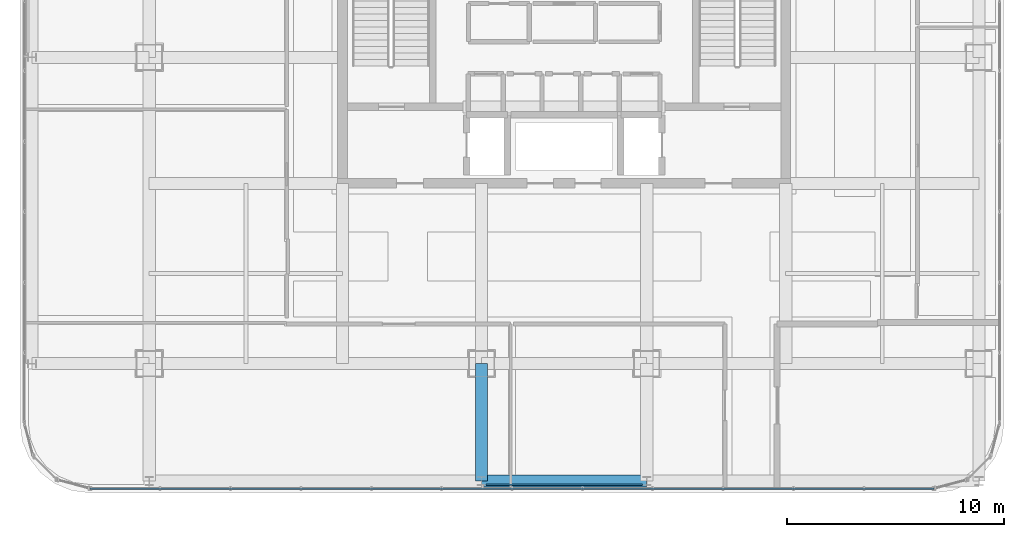
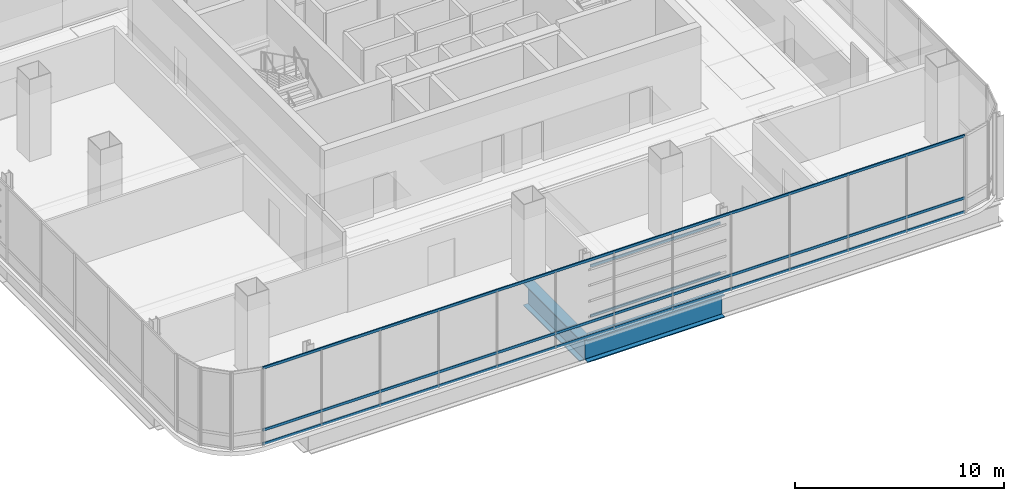
# One storey, part 8 of 45: 5 members, 2 beams, 1 element without a shape of its own.
"""IFC4 building model written with IfcOpenShell, lengths in metres."""

from ifc_helpers import new_model, si_unit, direction, frame, origin, origin_2d, place, context, subcontext, project, spatial, hollow_rectangle, i_section, extrude, material, material_profile, profile_set, type_object, element, aggregate, save


model = new_model("IFC4")

# Units and contexts
model_context = context("Model", 3, precision=1e-05, world=origin(), true_north=direction((0.0, 1.0)))
body_context = subcontext(model_context, "Body", "Model", "MODEL_VIEW")
ifc_project = project(units=[si_unit("LENGTHUNIT", "METRE"), si_unit("AREAUNIT", "SQUARE_METRE"), si_unit("VOLUMEUNIT", "CUBIC_METRE"), si_unit("PLANEANGLEUNIT", "RADIAN"), si_unit("MASSUNIT", "GRAM", prefix="KILO")], contexts=[model_context])

# Site, building, storey
site_placement = place(None, origin())
site = spatial("IfcSite", under=ifc_project, at=site_placement, CompositionType="ELEMENT")
building_placement = place(site_placement, origin())
building = spatial("IfcBuilding", under=site, at=building_placement, Name="Punatoya Terracotta Tower", CompositionType="ELEMENT")
storey_placement = place(building_placement, frame((0.0, 0.0, 339.0)))
storey = spatial("IfcBuildingStorey", under=building, at=storey_placement, Name="L80", CompositionType="ELEMENT", Elevation=339.0)

# Beams
ifc_material_1 = material(Name="Steel S460", Category="steel")
ifc_material_profile_1 = material_profile(ifc_material_1, i_section(OverallWidth=0.56005859375, OverallDepth=1.320068359375, WebThickness=0.035888671875, FlangeThickness=0.054931640625, FilletRadius=0.01806640625, at=origin_2d()))
ifc_profile_set_1 = profile_set([ifc_material_profile_1], Name="Steel S460")
beam_type = type_object("IfcBeamType", Name="BM-TG-BLK", PredefinedType="BEAM", material=ifc_profile_set_1)
beam_1_placement = place(storey_placement, frame((-3.800048828125, -22.89990234375, -0.919921875), z_axis=(0.0, 1.0, 0.0), x_axis=(-1.0, 0.0, 0.0)))
element("IfcBeam", 1, at=beam_1_placement, inside=storey, type_object=beam_type, Name="BM-L80-CANT-S2", PredefinedType="BEAM", context=body_context, shape_type="SweptSolid", body=[
    extrude(i_section(OverallWidth=0.56005859375, OverallDepth=1.320068359375, WebThickness=0.035888671875, FlangeThickness=0.054931640625, FilletRadius=0.01806640625, at=origin_2d()), origin(), (0.0, 0.0, 1.0), 5.39990234375),
])
beam_2_placement = place(storey_placement, frame((-3.800048828125, -22.89990234375, -0.919921875), z_axis=(1.0, 0.0, 0.0), x_axis=(0.0, 1.0, 0.0)))
element("IfcBeam", 2, at=beam_2_placement, inside=storey, type_object=beam_type, Name="BM-L80-PER-S2", PredefinedType="BEAM", context=body_context, shape_type="SweptSolid", body=[
    extrude(i_section(OverallWidth=0.56005859375, OverallDepth=1.320068359375, WebThickness=0.035888671875, FlangeThickness=0.054931640625, FilletRadius=0.01806640625, at=origin_2d()), origin(), (0.0, 0.0, 1.0), 7.60009765625),
])

# Curtain wall, members
ifc_material_2 = material(Name="Aluminium 6063-T6 + Double Low-E Glass", Category="aluminium")
curtain_wall_type = type_object("IfcCurtainWallType", Name="CW-OBS", PredefinedType="NOTDEFINED", material=ifc_material_2)
curtain_wall_placement = place(storey_placement, origin())
curtain_wall = element("IfcCurtainWall", 3, at=curtain_wall_placement, inside=storey, type_object=curtain_wall_type, Name="L80 Curtain Wall CW-L80-S01-1", PredefinedType="NOTDEFINED")
ifc_material_3 = material(Name="Aluminium 6063-T6", Category="aluminium")
ifc_material_profile_2 = material_profile(ifc_material_3, hollow_rectangle(XDim=0.068115234375, YDim=0.14990234375, WallThickness=0.00390625, at=origin_2d()))
ifc_profile_set_2 = profile_set([ifc_material_profile_2], Name="Aluminium 6063-T6")
member_type_1 = type_object("IfcMemberType", Name="CW-TRN-TYP", PredefinedType="USERDEFINED", material=ifc_profile_set_2)
member_1_placement = place(storey_placement, frame((-21.8369140625, -23.25, 0.0400390625), z_axis=(1.0, 0.0, 0.0), x_axis=(0.0, 1.0, 0.0)))
member_1 = element("IfcMember", 4, at=member_1_placement, type_object=member_type_1, Name="CW-L80-S01-1 Transom 1", ObjectType="TRANSOM", PredefinedType="USERDEFINED", context=body_context, shape_type="SweptSolid", body=[
    extrude(hollow_rectangle(XDim=0.068115234375, YDim=0.14990234375, WallThickness=0.00390625, at=origin_2d()), origin(), (0.0, 0.0, 1.0), 38.873779296875),
])
member_2_placement = place(storey_placement, frame((-21.8369140625, -23.25, 0.85009765625), z_axis=(1.0, 0.0, 0.0), x_axis=(0.0, 1.0, 0.0)))
member_2 = element("IfcMember", 5, at=member_2_placement, type_object=member_type_1, Name="CW-L80-S01-1 Transom 2", ObjectType="TRANSOM", PredefinedType="USERDEFINED", context=body_context, shape_type="SweptSolid", body=[
    extrude(hollow_rectangle(XDim=0.068115234375, YDim=0.14990234375, WallThickness=0.00390625, at=origin_2d()), origin(), (0.0, 0.0, 1.0), 38.873779296875),
])
member_3_placement = place(storey_placement, frame((-21.8369140625, -23.25, 4.47998046875), z_axis=(1.0, 0.0, 0.0), x_axis=(0.0, 1.0, 0.0)))
member_3 = element("IfcMember", 6, at=member_3_placement, type_object=member_type_1, Name="CW-L80-S01-1 Transom 3", ObjectType="TRANSOM", PredefinedType="USERDEFINED", context=body_context, shape_type="SweptSolid", body=[
    extrude(hollow_rectangle(XDim=0.068115234375, YDim=0.14990234375, WallThickness=0.00390625, at=origin_2d()), origin(), (0.0, 0.0, 1.0), 38.873779296875),
])
aggregate(curtain_wall, [member_1, member_2, member_3])

# Members
ifc_material_4 = material(Name="Steel S355", Category="steel")
ifc_material_profile_3 = material_profile(ifc_material_4, hollow_rectangle(XDim=0.070068359375, YDim=0.139892578125, WallThickness=0.006103515625, at=origin_2d()))
ifc_profile_set_3 = profile_set([ifc_material_profile_3], Name="Steel S355")
member_type_2 = type_object("IfcMemberType", Name="MEM-BAG-RAIL", PredefinedType="USERDEFINED", material=ifc_profile_set_3)
for number, where, z_axis, x_axis, name in (
    (7, (-3.60009765625, -23.08154296875, 1.050048828125), (1.0, 0.0, 0.0), (0.0, 1.0, 0.0), "L80 Terracotta Baguette Carrier Rail BAG-L80-S-R1"),
    (8, (-3.60009765625, -23.08154296875, 3.969970703125), (1.0, 0.0, 0.0), (0.0, 1.0, 0.0), "L80 Terracotta Baguette Carrier Rail BAG-L80-S-R2"),
):
    element("IfcMember", number, at=place(storey_placement, frame(where, z_axis=z_axis, x_axis=x_axis)), inside=storey, type_object=member_type_2, Name=name, ObjectType="BAGUETTE", PredefinedType="USERDEFINED", context=body_context, shape_type="SweptSolid", body=[
        extrude(hollow_rectangle(XDim=0.070068359375, YDim=0.139892578125, WallThickness=0.006103515625, at=origin_2d()), origin(), (0.0, 0.0, 1.0), 7.2001953125),
    ])

save(model, "model.ifc")
